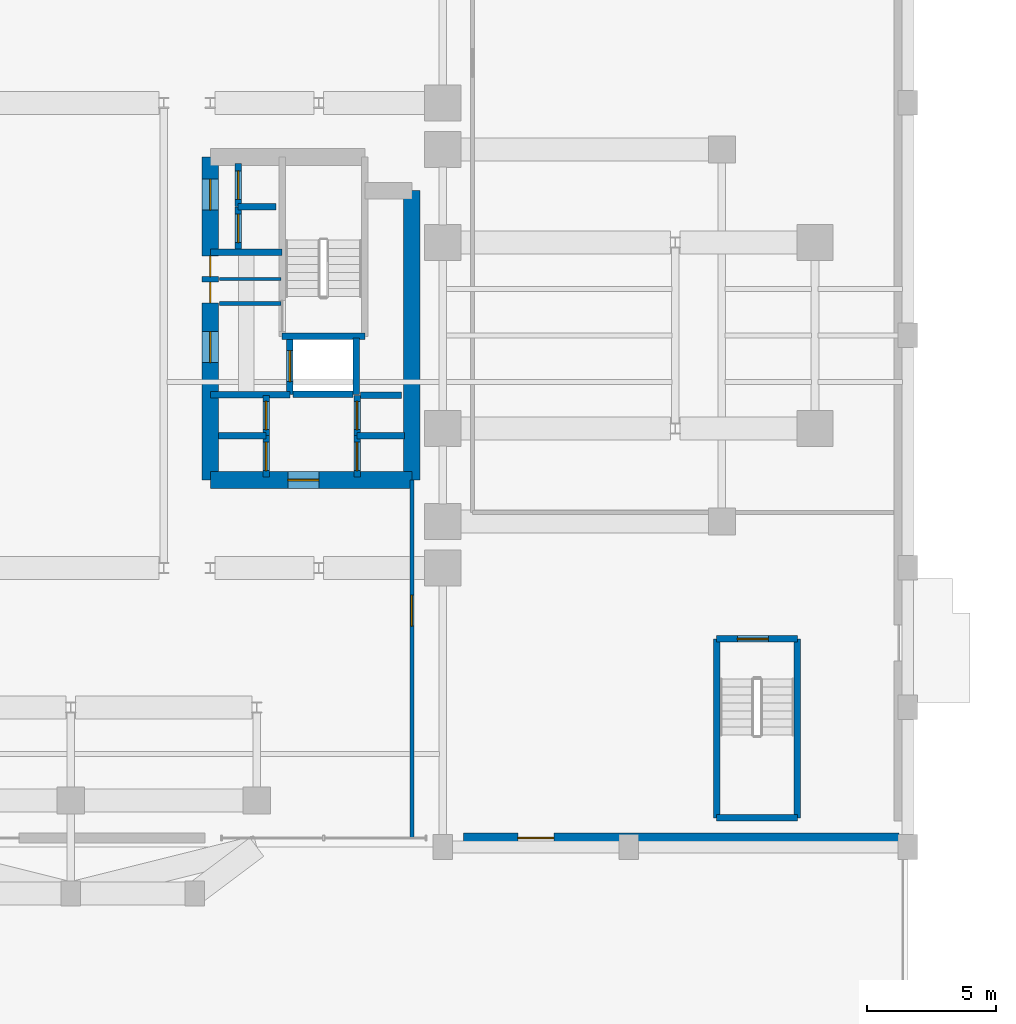
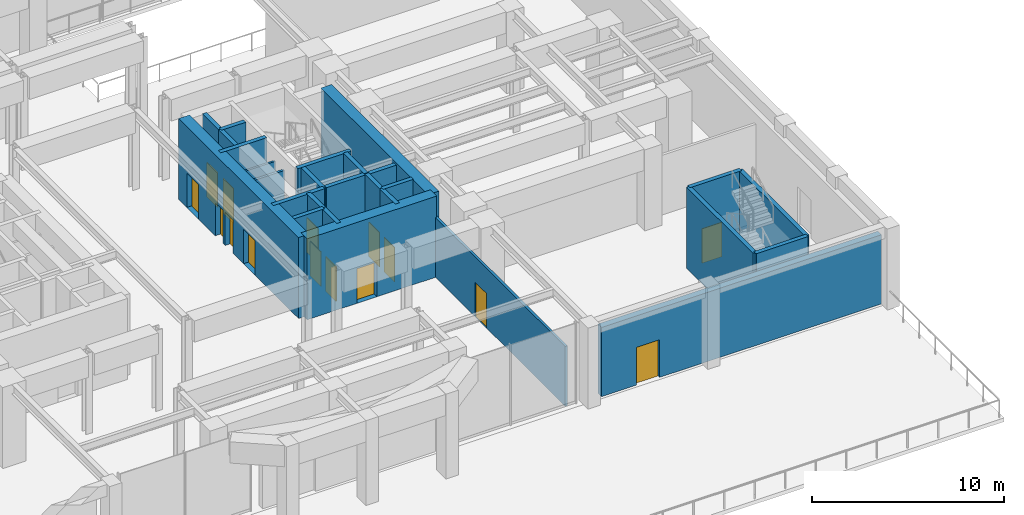
# One storey, part 11 of 17: 27 walls, 15 doors, 15 openings.
"""IFC4 building model written with IfcOpenShell, lengths in metres."""

import ifcopenshell
import ifcopenshell.guid

model = None  # the IFC model being written
_history = None  # IfcOwnerHistory: only IFC2X3 demands one
_inside = {}  # id of a spatial element -> (the spatial element, [elements in it])
_under = {}  # id of a project, library or spatial element -> (it, [spatial elements below it])
_declared = {}  # id of a project -> (the project, [libraries it declares])
_typed = {}  # id of a type object -> (the type object, [elements of that type])
_made_of = {}  # id of a material, layer set ... -> (it, [elements and type objects made of it])


def new_model(schema):
    """Start an empty IFC model of exactly this schema.

    Asked for "IFC4X3", IfcOpenShell would pick the latest addendum, in which some entities
    have other attributes; the version numbers below select the first issue.
    IFC2X3 requires an IfcOwnerHistory on every rooted entity: one is made here for all.
    """
    global model, _history
    if schema == "IFC4X3":
        model = ifcopenshell.file(schema_version=(4, 3, 0, 0))
    else:
        model = ifcopenshell.file(schema=schema)
    _inside.clear()
    _under.clear()
    _declared.clear()
    _typed.clear()
    _made_of.clear()
    _history = None
    if model.schema == "IFC2X3":
        org = make("IfcOrganization", Name="unknown")
        user = make(
            "IfcPersonAndOrganization",
            ThePerson=make("IfcPerson", FamilyName="unknown"),
            TheOrganization=org,
        )
        app = make(
            "IfcApplication",
            ApplicationDeveloper=org,
            Version="unknown",
            ApplicationFullName="unknown",
            ApplicationIdentifier="unknown",
        )
        _history = make(
            "IfcOwnerHistory",
            OwningUser=user,
            OwningApplication=app,
            ChangeAction="ADDED",
            CreationDate=0,
        )
    return model


def make(cls, **values):
    """One entity of the class cls with the attributes given. An attribute that is None is left unset."""
    return model.create_entity(
        cls, **{name: value for name, value in values.items() if value is not None}
    )


def rooted(cls, **values):
    """An entity with a GlobalId (a new one), such as an element, a storey or a relation."""
    return make(cls, GlobalId=ifcopenshell.guid.new(), OwnerHistory=_history, **values)


def si_unit(unit_type, name, prefix=None):
    """IfcSIUnit, for example si_unit("LENGTHUNIT", "METRE", prefix="MILLI")."""
    return make("IfcSIUnit", UnitType=unit_type, Prefix=prefix, Name=name)


def assignment(units):
    """IfcUnitAssignment: the units of a project."""
    return None if units is None else make("IfcUnitAssignment", Units=units)


def point(xyz):
    """IfcCartesianPoint."""
    return None if xyz is None else make("IfcCartesianPoint", Coordinates=xyz)


def direction(xyz):
    """IfcDirection."""
    return None if xyz is None else make("IfcDirection", DirectionRatios=xyz)


def frame(location, z_axis=None, x_axis=None):
    """IfcAxis2Placement3D, a coordinate frame: its origin and axes. An axis left out is left unset."""
    return make(
        "IfcAxis2Placement3D",
        Location=point(location),
        Axis=direction(z_axis),
        RefDirection=direction(x_axis),
    )


def frame_2d(location, x_axis=None):
    """IfcAxis2Placement2D, a coordinate frame in the plane: its origin and x axis."""
    return make(
        "IfcAxis2Placement2D", Location=point(location), RefDirection=direction(x_axis)
    )


def origin():
    """The frame at (0, 0, 0) with its axes left unset."""
    return frame((0.0, 0.0, 0.0))


def place(relative_to, where):
    """IfcLocalPlacement: puts the frame where relative to a parent placement (None: the world)."""
    return make(
        "IfcLocalPlacement", PlacementRelTo=relative_to, RelativePlacement=where
    )


def context(
    kind, dimensions, precision=None, world=None, true_north=None, identifier=None
):
    """IfcGeometricRepresentationContext, for example the 3D "Model" context."""
    return make(
        "IfcGeometricRepresentationContext",
        ContextIdentifier=identifier,
        ContextType=kind,
        CoordinateSpaceDimension=dimensions,
        Precision=precision,
        WorldCoordinateSystem=world,
        TrueNorth=true_north,
    )


def subcontext(parent, identifier, kind, view, scale=None):
    """IfcGeometricRepresentationSubContext, for example "Body" below "Model"."""
    return make(
        "IfcGeometricRepresentationSubContext",
        ContextIdentifier=identifier,
        ContextType=kind,
        ParentContext=parent,
        TargetScale=scale,
        TargetView=view,
    )


def project(units=None, contexts=None):
    """IfcProject with its units and contexts."""
    return rooted(
        "IfcProject",
        Name="project",
        RepresentationContexts=contexts,
        UnitsInContext=assignment(units),
    )


def spatial(cls, under=None, at=None, **own):
    """A site, building, storey or space (cls), placed at a placement, below another one or the project."""
    s = rooted(cls, ObjectPlacement=at, **own)
    if under is not None:
        _under.setdefault(under.id(), (under, []))[1].append(s)
    return s


def profile(cls, at=None, kind="AREA", **sizes):
    """A parametric profile (cls). Its sizes go by their IFC names, for example OverallWidth=200.0."""
    return make(cls, ProfileType=kind, Position=at, **sizes)


def rectangle(**sizes):
    """IfcRectangleProfileDef."""
    return profile("IfcRectangleProfileDef", **sizes)


def extrude(swept, where, along, depth):
    """IfcExtrudedAreaSolid: the profile swept, set in the frame where, extruded along a direction by depth."""
    return make(
        "IfcExtrudedAreaSolid",
        SweptArea=swept,
        Position=where,
        ExtrudedDirection=direction(along),
        Depth=depth,
    )


def shape(context_of_items, identifier, shape_type, items):
    """IfcShapeRepresentation: the items that make up one representation, for example the "Body"."""
    return make(
        "IfcShapeRepresentation",
        ContextOfItems=context_of_items,
        RepresentationIdentifier=identifier,
        RepresentationType=shape_type,
        Items=items,
    )


def source(mapping_origin, context_of_items, identifier, shape_type, items):
    """IfcRepresentationMap: a shape defined once, which mapped items show again and again."""
    return make(
        "IfcRepresentationMap",
        MappingOrigin=mapping_origin,
        MappedRepresentation=shape(context_of_items, identifier, shape_type, items),
    )


def transform(
    local_origin,
    x_axis=None,
    y_axis=None,
    z_axis=None,
    scale=None,
    scale2=None,
    scale3=None,
    uniform=True,
):
    """IfcCartesianTransformationOperator3D, or its non-uniform kind. x_axis, y_axis, z_axis: its Axis1, 2, 3."""
    if uniform:
        return make(
            "IfcCartesianTransformationOperator3D",
            Axis1=direction(x_axis),
            Axis2=direction(y_axis),
            LocalOrigin=point(local_origin),
            Scale=scale,
            Axis3=direction(z_axis),
        )
    return make(
        "IfcCartesianTransformationOperator3DnonUniform",
        Axis1=direction(x_axis),
        Axis2=direction(y_axis),
        LocalOrigin=point(local_origin),
        Scale=scale,
        Axis3=direction(z_axis),
        Scale2=scale2,
        Scale3=scale3,
    )


def mapped(mapping_source, mapping_target):
    """IfcMappedItem: shows the shape of a source again, moved by a transform."""
    return make(
        "IfcMappedItem", MappingSource=mapping_source, MappingTarget=mapping_target
    )


def material(Name=None, Category=None):
    """IfcMaterial."""
    return make("IfcMaterial", Name=Name, Category=Category)


def layer(
    of_material, thickness, ventilated=None, Name=None, Category=None, Priority=None
):
    """IfcMaterialLayer: one layer of a wall or slab, of a material (None: an air gap)."""
    return make(
        "IfcMaterialLayer",
        Material=of_material,
        LayerThickness=thickness,
        IsVentilated=ventilated,
        Name=Name,
        Category=Category,
        Priority=Priority,
    )


def layer_set(layers, Name=None):
    """IfcMaterialLayerSet."""
    return make("IfcMaterialLayerSet", MaterialLayers=layers, LayerSetName=Name)


def made_of(thing, what):
    """Note that an element or type object is made of a material, layer set ...; save() writes the relation."""
    if what is not None:
        _made_of.setdefault(what.id(), (what, []))[1].append(thing)
    return thing


def type_object(cls, material=None, **own):
    """A type object (cls), such as IfcWallType, which elements share."""
    return made_of(rooted(cls, **own), material)


def element(
    cls,
    number,
    at=None,
    inside=None,
    cuts=None,
    type_object=None,
    material=None,
    context=None,
    identifier="Body",
    shape_type=None,
    held_by="IfcProductDefinitionShape",
    body=None,
    shapes=None,
    **own,
):
    """One element of the class cls, such as IfcWall. Its Tag is "e" and its number.

    at: its placement. inside: the storey or other place that contains it. cuts: it is an
    opening in that element (IfcRelVoidsElement). A single representation is given by context,
    identifier, shape_type and body (its items); several are given by shapes. held_by: the class
    of the entity that holds the representations. save() writes the other relations.
    """
    e = rooted(cls, Tag="e%d" % number, ObjectPlacement=at, **own)
    if body is not None:
        shapes = [shape(context, identifier, shape_type, body)]
    if shapes is not None:
        e.Representation = make(held_by, Representations=shapes)
    if inside is not None:
        _inside.setdefault(inside.id(), (inside, []))[1].append(e)
    if cuts is not None:
        rooted(
            "IfcRelVoidsElement", RelatingBuildingElement=cuts, RelatedOpeningElement=e
        )
    if type_object is not None:
        _typed.setdefault(type_object.id(), (type_object, []))[1].append(e)
    return made_of(e, material)


def fill(opening, filler):
    """IfcRelFillsElement: the door or window that sits in an opening."""
    return rooted(
        "IfcRelFillsElement",
        RelatingOpeningElement=opening,
        RelatedBuildingElement=filler,
    )


def aggregate(whole, parts):
    """IfcRelAggregates: a whole, such as a stair, and the parts it consists of."""
    return rooted("IfcRelAggregates", RelatingObject=whole, RelatedObjects=parts)


def save(model, path):
    """Write the relations noted so far, then the file.

    IfcRelAggregates (storeys below a building ...), IfcRelContainedInSpatialStructure (elements
    in a storey), IfcRelDefinesByType, IfcRelAssociatesMaterial and IfcRelDeclares: one each for
    every whole, place, type object, material and project.
    """
    for whole, parts in _under.values():
        aggregate(whole, parts)
    for where, things in _inside.values():
        rooted(
            "IfcRelContainedInSpatialStructure",
            RelatedElements=things,
            RelatingStructure=where,
        )
    for kind, things in _typed.values():
        rooted("IfcRelDefinesByType", RelatedObjects=things, RelatingType=kind)
    for what, things in _made_of.values():
        rooted("IfcRelAssociatesMaterial", RelatedObjects=things, RelatingMaterial=what)
    for by, libraries in _declared.values():
        rooted("IfcRelDeclares", RelatingContext=by, RelatedDefinitions=libraries)
    model.write(path)


model = new_model("IFC4")

# Units and contexts
model_context = context("Model", 3, precision=1e-05, world=origin(), true_north=direction((0.0, 1.0)))
body_context = subcontext(model_context, "Body", "Model", "MODEL_VIEW")
ifc_project = project(units=[si_unit("LENGTHUNIT", "METRE"), si_unit("AREAUNIT", "SQUARE_METRE"), si_unit("VOLUMEUNIT", "CUBIC_METRE"), si_unit("PLANEANGLEUNIT", "RADIAN"), si_unit("MASSUNIT", "GRAM", prefix="KILO")], contexts=[model_context])

# Site, building, storey
site_placement = place(None, origin())
site = spatial("IfcSite", under=ifc_project, at=site_placement, CompositionType="ELEMENT")
building_placement = place(site_placement, origin())
building = spatial("IfcBuilding", under=site, at=building_placement, Name="Keilestroom Media Tower", CompositionType="ELEMENT")
storey_placement = place(building_placement, origin())
storey = spatial("IfcBuildingStorey", under=building, at=storey_placement, Name="L00", CompositionType="ELEMENT", Elevation=0.0)

# Wall, opening, door
ifc_material_1 = material(Name="Precast concrete C40/50", Category="concrete")
ifc_layer_1 = layer(ifc_material_1, 0.3798828125)
ifc_layer_set_1 = layer_set([ifc_layer_1], Name="Precast concrete C40/50")
wall_type_1 = type_object("IfcWallType", Name="Exterior-Masonry-Spandrel-Wall-380", PredefinedType="SOLIDWALL", material=ifc_layer_set_1)
wall_1_placement = place(storey_placement, frame((15.199951171875, -19.449951171875, 0.0), z_axis=(0.0, 0.0, 1.0), x_axis=(1.0, 0.0, 0.0)))
wall_1 = element("IfcWall", 1, at=wall_1_placement, inside=storey, type_object=wall_type_1, Name="L00 Podium Precast Masonry Wall EWL-L00-S-E", PredefinedType="SOLIDWALL", context=body_context, shape_type="SweptSolid", body=[
    extrude(rectangle(XDim=16.85009765625, YDim=0.3798828125, at=frame_2d((8.425048828125, 0.0))), origin(), (0.0, 0.0, 1.0), 4.39990234375),
])
opening_1_placement = place(wall_1_placement, frame((2.10009765625, 0.0, 0.0)))
opening_1 = element("IfcOpeningElement", 2, at=opening_1_placement, cuts=wall_1, Name="Opening DE-03", PredefinedType="OPENING", context=body_context, shape_type="SweptSolid", body=[
    extrude(rectangle(XDim=1.39990234375, YDim=2.39990234375, at=frame_2d((0.699951171875, 1.199951171875))), frame((0.0, 0.199951171875, 0.0), z_axis=(0.0, -1.0, 0.0), x_axis=(1.0, 0.0, 0.0)), (0.0, 0.0, 1.0), 0.39990234375),
])
ifc_material_2 = material(Name="Powder-Coated Steel Exit Leaf", Category="steel")
door_type_1 = type_object("IfcDoorType", Name="Exterior-Entrance-And-Terrace-Door-DE-03", OperationType="DOUBLE_DOOR_SINGLE_SWING", PredefinedType="DOOR", material=ifc_material_2)
shared_shape_1 = source(origin(), body_context, "Body", "SweptSolid", [
    extrude(rectangle(XDim=1.39990234375, YDim=2.39990234375, at=frame_2d((0.699951171875, 1.199951171875))), frame((0.0, 0.02490234375, 0.0), z_axis=(0.0, -1.0, 0.0), x_axis=(1.0, 0.0, 0.0)), (0.0, 0.0, 1.0), 0.050048828125),
])
door_1_placement = place(opening_1_placement, frame((1.39990234375, 0.0, 0.0), z_axis=(0.0, 0.0, 1.0), x_axis=(-1.0, 0.0, 0.0)))
door_1 = element("IfcDoor", 3, at=door_1_placement, inside=storey, type_object=door_type_1, Name="Stair ST-4 Final Exit Door DE-03", OperationType="DOUBLE_DOOR_SINGLE_SWING", OverallHeight=2.39990234375, OverallWidth=1.39990234375, PredefinedType="DOOR", context=body_context, shape_type="MappedRepresentation", body=[
    mapped(shared_shape_1, transform((0.0, 0.0, 0.0), x_axis=(1.0, 0.0, 0.0), y_axis=(0.0, 1.0, 0.0), z_axis=(0.0, 0.0, 1.0), scale=1.0)),
])
fill(opening_1, door_1)

# Walls
ifc_material_3 = material(Name="Gypsum Plasterboard & Steel Stud", Category="steel")
ifc_layer_2 = layer(ifc_material_3, 0.1201171875)
ifc_layer_set_2 = layer_set([ifc_layer_2], Name="Gypsum Plasterboard & Steel Stud")
wall_type_2 = type_object("IfcWallType", Name="Interior-Partition-Wall-120", PredefinedType="PARTITIONING", material=ifc_layer_set_2)
wall_2_placement = place(storey_placement, frame((5.75, 2.179931640625, 0.0), z_axis=(0.0, 0.0, 1.0), x_axis=(1.0, 0.0, 0.0)))
element("IfcWall", 4, at=wall_2_placement, inside=storey, type_object=wall_type_2, Name="L00 Interior Wall WP-L00-CNE-N", PredefinedType="PARTITIONING", context=body_context, shape_type="SweptSolid", body=[
    extrude(rectangle(XDim=2.389892578125, YDim=0.1201171875, at=frame_2d((1.19482421875, 0.0))), origin(), (0.0, 0.0, 1.0), 4.25),
])
ifc_layer_3 = layer(ifc_material_3, 0.14990234375)
ifc_layer_set_3 = layer_set([ifc_layer_3], Name="Gypsum Plasterboard & Steel Stud")
wall_type_3 = type_object("IfcWallType", Name="Interior-Partition-Wall-150", PredefinedType="PARTITIONING", material=ifc_layer_set_3)
wall_3_placement = place(storey_placement, frame((5.75, 1.239990234375, 0.0), z_axis=(0.0, 0.0, 1.0), x_axis=(1.0, 0.0, 0.0)))
element("IfcWall", 5, at=wall_3_placement, inside=storey, type_object=wall_type_3, Name="L00 Interior Wall WP-L00-FFE-TOP", PredefinedType="PARTITIONING", context=body_context, shape_type="SweptSolid", body=[
    extrude(rectangle(XDim=2.389892578125, YDim=0.14990234375, at=frame_2d((1.19482421875, 0.0))), origin(), (0.0, 0.0, 1.0), 4.25),
])

# Wall, opening, door
wall_4_placement = place(storey_placement, frame((13.199951171875, -19.449951171875, 0.0), z_axis=(0.0, 0.0, 1.0), x_axis=(0.0, 1.0, 0.0)))
wall_4 = element("IfcWall", 6, at=wall_4_placement, inside=storey, type_object=wall_type_3, Name="L00 Interior Wall WP-L00-L00-EXPASS-E-W", PredefinedType="PARTITIONING", context=body_context, shape_type="SweptSolid", body=[
    extrude(rectangle(XDim=13.849853515625, YDim=0.14990234375, at=frame_2d((6.9248046875, 0.0))), origin(), (0.0, 0.0, 1.0), 3.800048828125),
])
opening_2_placement = place(wall_4_placement, frame((8.199951171875, 0.0, 0.0)))
opening_2 = element("IfcOpeningElement", 7, at=opening_2_placement, cuts=wall_4, Name="Opening DI-02", PredefinedType="OPENING", context=body_context, shape_type="SweptSolid", body=[
    extrude(rectangle(XDim=1.199951171875, YDim=2.199951171875, at=frame_2d((0.60009765625, 1.10009765625))), frame((0.0, 0.0849609375, 0.0), z_axis=(0.0, -1.0, 0.0), x_axis=(1.0, 0.0, 0.0)), (0.0, 0.0, 1.0), 0.169921875),
])
ifc_material_4 = material(Name="Powder-Coated Steel Fire Leaf", Category="steel")
door_type_2 = type_object("IfcDoorType", Name="Interior-Compartment-Fire-Door-DI-02", OperationType="NOTDEFINED", PredefinedType="DOOR", material=ifc_material_4)
shared_shape_2 = source(origin(), body_context, "Body", "SweptSolid", [
    extrude(rectangle(XDim=1.199951171875, YDim=2.199951171875, at=frame_2d((0.60009765625, 1.10009765625))), frame((0.0, 0.02490234375, 0.0), z_axis=(0.0, -1.0, 0.0), x_axis=(1.0, 0.0, 0.0)), (0.0, 0.0, 1.0), 0.050048828125),
])
door_2_placement = place(opening_2_placement, origin())
door_2 = element("IfcDoor", 8, at=door_2_placement, inside=storey, type_object=door_type_2, Name="L00 Interior Door DI-L00-L00-EXPASS-ED", OperationType="SINGLE_SWING_RIGHT", OverallHeight=2.199951171875, OverallWidth=1.199951171875, PredefinedType="DOOR", context=body_context, shape_type="MappedRepresentation", body=[
    mapped(shared_shape_2, transform((0.0, 0.0, 0.0), x_axis=(1.0, 0.0, 0.0), y_axis=(0.0, 1.0, 0.0), z_axis=(0.0, 0.0, 1.0), scale=1.0)),
])
fill(opening_2, door_2)

# Wall
ifc_material_5 = material(Name="Concrete C70/85", Category="concrete")
ifc_layer_4 = layer(ifc_material_5, 0.64990234375)
ifc_layer_set_4 = layer_set([ifc_layer_4], Name="Concrete C70/85")
wall_type_4 = type_object("IfcWallType", Name="Reinforced-Concrete-Core-Shear-Wall-650", PredefinedType="SHEAR", material=ifc_layer_set_4)
wall_5_placement = place(storey_placement, frame((13.199951171875, -5.60009765625, 0.0), z_axis=(0.0, 0.0, 1.0), x_axis=(0.0, 1.0, 0.0)))
element("IfcWall", 9, at=wall_5_placement, inside=storey, type_object=wall_type_4, Name="L00 Core Shear Wall WL-L00-CORE-E-OUT", PredefinedType="SHEAR", context=body_context, shape_type="SweptSolid", body=[
    extrude(rectangle(XDim=11.2001953125, YDim=0.64990234375, at=frame_2d((5.60009765625, 0.0))), origin(), (0.0, 0.0, 1.0), 5.14990234375),
])

# Wall, openings, doors
wall_6_placement = place(storey_placement, frame((5.39990234375, -5.60009765625, 0.0), z_axis=(0.0, 0.0, 1.0), x_axis=(0.0, 1.0, 0.0)))
wall_6 = element("IfcWall", 10, at=wall_6_placement, inside=storey, type_object=wall_type_4, Name="L00 Core Shear Wall WL-L00-CORE-E-IN", PredefinedType="SHEAR", context=body_context, shape_type="SweptSolid", body=[
    extrude(rectangle(XDim=12.5, YDim=0.64990234375, at=frame_2d((6.25, 0.0))), origin(), (0.0, 0.0, 1.0), 5.14990234375),
])
opening_3_placement = place(wall_6_placement, frame((4.550048828125, 0.0, 0.0)))
opening_3 = element("IfcOpeningElement", 11, at=opening_3_placement, cuts=wall_6, Name="Opening DI-02", PredefinedType="OPENING", context=body_context, shape_type="SweptSolid", body=[
    extrude(rectangle(XDim=1.199951171875, YDim=2.199951171875, at=frame_2d((0.60009765625, 1.10009765625))), frame((0.0, 0.3349609375, 0.0), z_axis=(0.0, -1.0, 0.0), x_axis=(1.0, 0.0, 0.0)), (0.0, 0.0, 1.0), 0.669921875),
])
opening_4_placement = place(wall_6_placement, frame((10.449951171875, 0.0, 0.0)))
opening_4 = element("IfcOpeningElement", 12, at=opening_4_placement, cuts=wall_6, Name="Opening DI-02", PredefinedType="OPENING", context=body_context, shape_type="SweptSolid", body=[
    extrude(rectangle(XDim=1.199951171875, YDim=2.199951171875, at=frame_2d((0.60009765625, 1.10009765625))), frame((0.0, 0.3349609375, 0.0), z_axis=(0.0, -1.0, 0.0), x_axis=(1.0, 0.0, 0.0)), (0.0, 0.0, 1.0), 0.669921875),
])
opening_5_placement = place(wall_6_placement, frame((6.860107421875, 0.0, 0.0)))
opening_5 = element("IfcOpeningElement", 13, at=opening_5_placement, cuts=wall_6, Name="Opening DI-06", PredefinedType="OPENING", context=body_context, shape_type="SweptSolid", body=[
    extrude(rectangle(XDim=0.800048828125, YDim=2.10009765625, at=frame_2d((0.39990234375, 1.050048828125))), frame((0.0, 0.3349609375, 0.0), z_axis=(0.0, -1.0, 0.0), x_axis=(1.0, 0.0, 0.0)), (0.0, 0.0, 1.0), 0.669921875),
])
opening_6_placement = place(wall_6_placement, frame((7.8798828125, 0.0, 0.0)))
opening_6 = element("IfcOpeningElement", 14, at=opening_6_placement, cuts=wall_6, Name="Opening DI-06", PredefinedType="OPENING", context=body_context, shape_type="SweptSolid", body=[
    extrude(rectangle(XDim=0.800048828125, YDim=2.10009765625, at=frame_2d((0.39990234375, 1.050048828125))), frame((0.0, 0.3349609375, 0.0), z_axis=(0.0, -1.0, 0.0), x_axis=(1.0, 0.0, 0.0)), (0.0, 0.0, 1.0), 0.669921875),
])
door_3_placement = place(opening_3_placement, origin())
door_3 = element("IfcDoor", 15, at=door_3_placement, inside=storey, type_object=door_type_2, Name="L00 E Firefighting Lobby Door", OperationType="SINGLE_SWING_LEFT", OverallHeight=2.199951171875, OverallWidth=1.199951171875, PredefinedType="DOOR", context=body_context, shape_type="MappedRepresentation", body=[
    mapped(shared_shape_2, transform((0.0, 0.0, 0.0), x_axis=(1.0, 0.0, 0.0), y_axis=(0.0, 1.0, 0.0), z_axis=(0.0, 0.0, 1.0), scale=1.0)),
])
fill(opening_3, door_3)
door_4_placement = place(opening_4_placement, origin())
door_4 = element("IfcDoor", 16, at=door_4_placement, inside=storey, type_object=door_type_2, Name="L00 E High-Rise Lift Lobby Door", OperationType="SINGLE_SWING_RIGHT", OverallHeight=2.199951171875, OverallWidth=1.199951171875, PredefinedType="DOOR", context=body_context, shape_type="MappedRepresentation", body=[
    mapped(shared_shape_2, transform((0.0, 0.0, 0.0), x_axis=(1.0, 0.0, 0.0), y_axis=(0.0, 1.0, 0.0), z_axis=(0.0, 0.0, 1.0), scale=1.0)),
])
fill(opening_4, door_4)
ifc_material_6 = material(Name="Powder-Coated Steel Service Leaf", Category="steel")
door_type_3 = type_object("IfcDoorType", Name="Interior-Riser-Access-Door-DI-06", OperationType="NOTDEFINED", PredefinedType="DOOR", material=ifc_material_6)
shared_shape_3 = source(origin(), body_context, "Body", "SweptSolid", [
    extrude(rectangle(XDim=0.800048828125, YDim=2.10009765625, at=frame_2d((0.39990234375, 1.050048828125))), frame((0.0, 0.02490234375, 0.0), z_axis=(0.0, -1.0, 0.0), x_axis=(1.0, 0.0, 0.0)), (0.0, 0.0, 1.0), 0.050048828125),
])
door_5_placement = place(opening_5_placement, origin())
door_5 = element("IfcDoor", 17, at=door_5_placement, inside=storey, type_object=door_type_3, Name="L00 East Core Telecom Door", OperationType="SINGLE_SWING_RIGHT", OverallHeight=2.10009765625, OverallWidth=0.800048828125, PredefinedType="DOOR", context=body_context, shape_type="MappedRepresentation", body=[
    mapped(shared_shape_3, transform((0.0, 0.0, 0.0), x_axis=(1.0, 0.0, 0.0), y_axis=(0.0, 1.0, 0.0), z_axis=(0.0, 0.0, 1.0), scale=1.0)),
])
fill(opening_5, door_5)
door_6_placement = place(opening_6_placement, origin())
door_6 = element("IfcDoor", 18, at=door_6_placement, inside=storey, type_object=door_type_3, Name="L00 East Core Closet Door", OperationType="SINGLE_SWING_RIGHT", OverallHeight=2.10009765625, OverallWidth=0.800048828125, PredefinedType="DOOR", context=body_context, shape_type="MappedRepresentation", body=[
    mapped(shared_shape_3, transform((0.0, 0.0, 0.0), x_axis=(1.0, 0.0, 0.0), y_axis=(0.0, 1.0, 0.0), z_axis=(0.0, 0.0, 1.0), scale=1.0)),
])
fill(opening_6, door_6)

# Wall, opening, door
wall_7_placement = place(storey_placement, frame((5.39990234375, -5.60009765625, 0.0), z_axis=(0.0, 0.0, 1.0), x_axis=(1.0, 0.0, 0.0)))
wall_7 = element("IfcWall", 19, at=wall_7_placement, inside=storey, type_object=wall_type_4, Name="L00 Core Shear Wall WL-L00-CORE-E-S", PredefinedType="SHEAR", context=body_context, shape_type="SweptSolid", body=[
    extrude(rectangle(XDim=7.800048828125, YDim=0.64990234375, at=frame_2d((3.89990234375, 0.0))), origin(), (0.0, 0.0, 1.0), 5.14990234375),
])
opening_7_placement = place(wall_7_placement, frame((3.0, 0.0, 0.0)))
opening_7 = element("IfcOpeningElement", 20, at=opening_7_placement, cuts=wall_7, Name="Opening DI-02", PredefinedType="OPENING", context=body_context, shape_type="SweptSolid", body=[
    extrude(rectangle(XDim=1.199951171875, YDim=2.199951171875, at=frame_2d((0.60009765625, 1.10009765625))), frame((0.0, 0.3349609375, 0.0), z_axis=(0.0, -1.0, 0.0), x_axis=(1.0, 0.0, 0.0)), (0.0, 0.0, 1.0), 0.669921875),
])
door_7_placement = place(opening_7_placement, origin())
door_7 = element("IfcDoor", 21, at=door_7_placement, inside=storey, type_object=door_type_2, Name="L00 E Passenger Lift Lobby Door", OperationType="SINGLE_SWING_RIGHT", OverallHeight=2.199951171875, OverallWidth=1.199951171875, PredefinedType="DOOR", context=body_context, shape_type="MappedRepresentation", body=[
    mapped(shared_shape_2, transform((0.0, 0.0, 0.0), x_axis=(1.0, 0.0, 0.0), y_axis=(0.0, 1.0, 0.0), z_axis=(0.0, 0.0, 1.0), scale=1.0)),
])
fill(opening_7, door_7)

# Walls
ifc_material_7 = material(Name="Concrete C50/60", Category="concrete")
ifc_layer_5 = layer(ifc_material_7, 0.25)
ifc_layer_set_5 = layer_set([ifc_layer_5], Name="Concrete C50/60")
wall_type_5 = type_object("IfcWallType", Name="Reinforced-Concrete-Shaft-Wall-250", PredefinedType="SOLIDWALL", material=ifc_layer_set_5)
wall_8_placement = place(storey_placement, frame((5.39990234375, 3.219970703125, 0.0), z_axis=(0.0, 0.0, 1.0), x_axis=(1.0, 0.0, 0.0)))
element("IfcWall", 22, at=wall_8_placement, inside=storey, type_object=wall_type_5, Name="L00 Core Shear Wall WL-L00-CORE-E-FFN", PredefinedType="SOLIDWALL", context=body_context, shape_type="SweptSolid", body=[
    extrude(rectangle(XDim=2.780029296875, YDim=0.25, at=frame_2d((1.39013671875, 0.0))), origin(), (0.0, 0.0, 1.0), 5.14990234375),
])
wall_9_placement = place(storey_placement, frame((5.39990234375, -2.300048828125, 0.0), z_axis=(0.0, 0.0, 1.0), x_axis=(1.0, 0.0, 0.0)))
element("IfcWall", 23, at=wall_9_placement, inside=storey, type_object=wall_type_5, Name="L00 Core Shear Wall WL-L00-CORE-E-FFS", PredefinedType="SOLIDWALL", context=body_context, shape_type="SweptSolid", body=[
    extrude(rectangle(XDim=3.080078125, YDim=0.25, at=frame_2d((1.5400390625, 0.0))), origin(), (0.0, 0.0, 1.0), 5.14990234375),
])
wall_10_placement = place(storey_placement, frame((8.178955078125, -0.041015625, 0.0), z_axis=(0.0, 0.0, 1.0), x_axis=(1.0, 0.0, 0.0)))
element("IfcWall", 24, at=wall_10_placement, inside=storey, type_object=wall_type_5, Name="L00 Core Shear Wall WL-L00-STW-E-S", PredefinedType="SOLIDWALL", context=body_context, shape_type="SweptSolid", body=[
    extrude(rectangle(XDim=3.2021484375, YDim=0.25, at=frame_2d((1.60107421875, 0.0))), origin(), (0.0, 0.0, 1.0), 5.14990234375),
])
for number, where, z_axis, x_axis, name in (
    (25, (24.9990234375, -18.6708984375, 0.0), (0.0, 0.0, 1.0), (0.0, 1.0, 0.0), "L00 Core Shear Wall WL-L00-ST-4-W"),
    (26, (28.12109375, -18.6708984375, 0.0), (0.0, 0.0, 1.0), (0.0, 1.0, 0.0), "L00 Core Shear Wall WL-L00-ST-4-E"),
):
    element("IfcWall", number, at=place(storey_placement, frame(where, z_axis=z_axis, x_axis=x_axis)), inside=storey, type_object=wall_type_5, Name=name, PredefinedType="SOLIDWALL", context=body_context, shape_type="SweptSolid", body=[
        extrude(rectangle(XDim=6.921875, YDim=0.25, at=frame_2d((3.4609375, 0.0))), origin(), (0.0, 0.0, 1.0), 5.14990234375),
    ])
wall_11_placement = place(storey_placement, frame((24.9990234375, -18.6708984375, 0.0), z_axis=(0.0, 0.0, 1.0), x_axis=(1.0, 0.0, 0.0)))
element("IfcWall", 27, at=wall_11_placement, inside=storey, type_object=wall_type_5, Name="L00 Core Shear Wall WL-L00-ST-4-S", PredefinedType="SOLIDWALL", context=body_context, shape_type="SweptSolid", body=[
    extrude(rectangle(XDim=3.1220703125, YDim=0.25, at=frame_2d((1.56103515625, 0.0))), origin(), (0.0, 0.0, 1.0), 5.14990234375),
])

# Wall, opening, door
wall_12_placement = place(storey_placement, frame((24.9990234375, -11.7490234375, 0.0), z_axis=(0.0, 0.0, 1.0), x_axis=(1.0, 0.0, 0.0)))
wall_12 = element("IfcWall", 28, at=wall_12_placement, inside=storey, type_object=wall_type_5, Name="L00 Core Shear Wall WL-L00-ST-4-N", PredefinedType="SOLIDWALL", context=body_context, shape_type="SweptSolid", body=[
    extrude(rectangle(XDim=3.1220703125, YDim=0.25, at=frame_2d((1.56103515625, 0.0))), origin(), (0.0, 0.0, 1.0), 5.14990234375),
])
opening_8_placement = place(wall_12_placement, frame((0.800048828125, 0.0, 0.0)))
opening_8 = element("IfcOpeningElement", 29, at=opening_8_placement, cuts=wall_12, Name="Opening DI-01S", PredefinedType="OPENING", context=body_context, shape_type="SweptSolid", body=[
    extrude(rectangle(XDim=1.199951171875, YDim=2.199951171875, at=frame_2d((0.60009765625, 1.10009765625))), frame((0.0, 0.135009765625, 0.0), z_axis=(0.0, -1.0, 0.0), x_axis=(1.0, 0.0, 0.0)), (0.0, 0.0, 1.0), 0.27001953125),
])
door_type_4 = type_object("IfcDoorType", Name="Interior-Stair-And-Core-Fire-Door-DI-01", OperationType="NOTDEFINED", PredefinedType="DOOR", material=ifc_material_4)
door_8_placement = place(opening_8_placement, origin())
door_8 = element("IfcDoor", 30, at=door_8_placement, inside=storey, type_object=door_type_4, Name="L00 Podium Stair ST-4 Fire Door", OperationType="SINGLE_SWING_LEFT", OverallHeight=2.199951171875, OverallWidth=1.199951171875, PredefinedType="DOOR", context=body_context, shape_type="MappedRepresentation", body=[
    mapped(shared_shape_2, transform((0.0, 0.0, 0.0), x_axis=(1.0, 0.0, 0.0), y_axis=(0.0, 1.0, 0.0), z_axis=(0.0, 0.0, 1.0), scale=1.0)),
])
fill(opening_8, door_8)

wall_13_placement = place(storey_placement, frame((8.47998046875, -2.280029296875, 0.0), z_axis=(0.0, 0.0, 1.0), x_axis=(0.0, 1.0, 0.0)))
wall_13 = element("IfcWall", 31, at=wall_13_placement, inside=storey, type_object=wall_type_5, Name="L00 Core Shear Wall WL-L00-LSH-FFL-2-W", PredefinedType="SOLIDWALL", context=body_context, shape_type="SweptSolid", body=[
    extrude(rectangle(XDim=2.179931640625, YDim=0.25, at=frame_2d((1.08984375, 0.0))), origin(), (0.0, 0.0, 1.0), 5.14990234375),
])
opening_9_placement = place(wall_13_placement, frame((0.489990234375, 0.0, 0.0)))
opening_9 = element("IfcOpeningElement", 32, at=opening_9_placement, cuts=wall_13, Name="Opening LD-02", PredefinedType="OPENING", context=body_context, shape_type="SweptSolid", body=[
    extrude(rectangle(XDim=1.199951171875, YDim=2.199951171875, at=frame_2d((0.60009765625, 1.10009765625))), frame((0.0, 0.135009765625, 0.0), z_axis=(0.0, -1.0, 0.0), x_axis=(1.0, 0.0, 0.0)), (0.0, 0.0, 1.0), 0.27001953125),
])
ifc_material_8 = material(Name="Brushed Stainless Steel Sliding Leaf", Category="steel")
door_type_5 = type_object("IfcDoorType", Name="Lift-Landing-Sliding-Door-LD-02", OperationType="SLIDING_TO_RIGHT", PredefinedType="DOOR", material=ifc_material_8)
door_9_placement = place(opening_9_placement, origin())
door_9 = element("IfcDoor", 33, at=door_9_placement, inside=storey, type_object=door_type_5, Name="L00 Lift FFL-2 Landing Sliding Door", OperationType="SLIDING_TO_RIGHT", OverallHeight=2.199951171875, OverallWidth=1.199951171875, PredefinedType="DOOR", context=body_context, shape_type="MappedRepresentation", body=[
    mapped(shared_shape_2, transform((0.0, 0.0, 0.0), x_axis=(1.0, 0.0, 0.0), y_axis=(0.0, 1.0, 0.0), z_axis=(0.0, 0.0, 1.0), scale=1.0)),
])
fill(opening_9, door_9)

# Walls
wall_14_placement = place(storey_placement, frame((11.050048828125, -2.280029296875, 0.0), z_axis=(0.0, 0.0, 1.0), x_axis=(0.0, 1.0, 0.0)))
element("IfcWall", 34, at=wall_14_placement, inside=storey, type_object=wall_type_5, Name="L00 Core Shear Wall WL-L00-LSH-FFL-2-E", PredefinedType="SOLIDWALL", context=body_context, shape_type="SweptSolid", body=[
    extrude(rectangle(XDim=2.179931640625, YDim=0.25, at=frame_2d((1.08984375, 0.0))), origin(), (0.0, 0.0, 1.0), 5.14990234375),
])
wall_15_placement = place(storey_placement, frame((8.60888671875, -2.280029296875, 0.0), z_axis=(0.0, 0.0, 1.0), x_axis=(1.0, 0.0, 0.0)))
element("IfcWall", 35, at=wall_15_placement, inside=storey, type_object=wall_type_5, Name="L00 Core Shear Wall WL-L00-LSH-FFL-2-S", PredefinedType="SOLIDWALL", context=body_context, shape_type="SweptSolid", body=[
    extrude(rectangle(XDim=2.31201171875, YDim=0.25, at=frame_2d((1.156005859375, 0.0))), origin(), (0.0, 0.0, 1.0), 5.14990234375),
])

# Wall, opening, door
wall_16_placement = place(storey_placement, frame((11.080078125, -5.47998046875, 0.0), z_axis=(0.0, 0.0, 1.0), x_axis=(0.0, 1.0, 0.0)))
wall_16 = element("IfcWall", 36, at=wall_16_placement, inside=storey, type_object=wall_type_5, Name="L00 Core Shear Wall WL-L00-LSH-PL-L3-W", PredefinedType="SOLIDWALL", context=body_context, shape_type="SweptSolid", body=[
    extrude(rectangle(XDim=1.60009765625, YDim=0.25, at=frame_2d((0.800048828125, 0.0))), origin(), (0.0, 0.0, 1.0), 5.14990234375),
])
opening_10_placement = place(wall_16_placement, frame((0.25, 0.0, 0.0)))
opening_10 = element("IfcOpeningElement", 37, at=opening_10_placement, cuts=wall_16, Name="Opening LD-01", PredefinedType="OPENING", context=body_context, shape_type="SweptSolid", body=[
    extrude(rectangle(XDim=1.10009765625, YDim=2.199951171875, at=frame_2d((0.550048828125, 1.10009765625))), frame((0.0, 0.135009765625, 0.0), z_axis=(0.0, -1.0, 0.0), x_axis=(1.0, 0.0, 0.0)), (0.0, 0.0, 1.0), 0.27001953125),
])
door_type_6 = type_object("IfcDoorType", Name="Lift-Landing-Sliding-Door-LD-01", OperationType="SLIDING_TO_LEFT", PredefinedType="DOOR", material=ifc_material_8)
shared_shape_4 = source(origin(), body_context, "Body", "SweptSolid", [
    extrude(rectangle(XDim=1.10009765625, YDim=2.199951171875, at=frame_2d((0.550048828125, 1.10009765625))), frame((0.0, 0.02490234375, 0.0), z_axis=(0.0, -1.0, 0.0), x_axis=(1.0, 0.0, 0.0)), (0.0, 0.0, 1.0), 0.050048828125),
])
door_10_placement = place(opening_10_placement, origin())
door_10 = element("IfcDoor", 38, at=door_10_placement, inside=storey, type_object=door_type_6, Name="L00 Lift PL-L3 Landing Sliding Door", OperationType="SLIDING_TO_LEFT", OverallHeight=2.199951171875, OverallWidth=1.10009765625, PredefinedType="DOOR", context=body_context, shape_type="MappedRepresentation", body=[
    mapped(shared_shape_4, transform((0.0, 0.0, 0.0), x_axis=(1.0, 0.0, 0.0), y_axis=(0.0, 1.0, 0.0), z_axis=(0.0, 0.0, 1.0), scale=1.0)),
])
fill(opening_10, door_10)

# Wall
wall_17_placement = place(storey_placement, frame((11.080078125, -3.8798828125, 0.0), z_axis=(0.0, 0.0, 1.0), x_axis=(1.0, 0.0, 0.0)))
element("IfcWall", 39, at=wall_17_placement, inside=storey, type_object=wall_type_5, Name="L00 Core Shear Wall WL-L00-LSH-PL-L3-N", PredefinedType="SOLIDWALL", context=body_context, shape_type="SweptSolid", body=[
    extrude(rectangle(XDim=1.83984375, YDim=0.25, at=frame_2d((0.919921875, 0.0))), origin(), (0.0, 0.0, 1.0), 5.14990234375),
])

# Wall, opening, door
wall_18_placement = place(storey_placement, frame((11.080078125, -3.8798828125, 0.0), z_axis=(0.0, 0.0, 1.0), x_axis=(0.0, 1.0, 0.0)))
wall_18 = element("IfcWall", 40, at=wall_18_placement, inside=storey, type_object=wall_type_5, Name="L00 Core Shear Wall WL-L00-LSH-PL-L4-W", PredefinedType="SOLIDWALL", context=body_context, shape_type="SweptSolid", body=[
    extrude(rectangle(XDim=1.559814453125, YDim=0.25, at=frame_2d((0.77978515625, 0.0))), origin(), (0.0, 0.0, 1.0), 5.14990234375),
])
opening_11_placement = place(wall_18_placement, frame((0.22998046875, 0.0, 0.0)))
opening_11 = element("IfcOpeningElement", 41, at=opening_11_placement, cuts=wall_18, Name="Opening LD-01", PredefinedType="OPENING", context=body_context, shape_type="SweptSolid", body=[
    extrude(rectangle(XDim=1.10009765625, YDim=2.199951171875, at=frame_2d((0.550048828125, 1.10009765625))), frame((0.0, 0.135009765625, 0.0), z_axis=(0.0, -1.0, 0.0), x_axis=(1.0, 0.0, 0.0)), (0.0, 0.0, 1.0), 0.27001953125),
])
door_11_placement = place(opening_11_placement, origin())
door_11 = element("IfcDoor", 42, at=door_11_placement, inside=storey, type_object=door_type_6, Name="L00 Lift PL-L4 Landing Sliding Door", OperationType="SLIDING_TO_LEFT", OverallHeight=2.199951171875, OverallWidth=1.10009765625, PredefinedType="DOOR", context=body_context, shape_type="MappedRepresentation", body=[
    mapped(shared_shape_4, transform((0.0, 0.0, 0.0), x_axis=(1.0, 0.0, 0.0), y_axis=(0.0, 1.0, 0.0), z_axis=(0.0, 0.0, 1.0), scale=1.0)),
])
fill(opening_11, door_11)

# Wall
wall_19_placement = place(storey_placement, frame((11.208984375, -2.320068359375, 0.0), z_axis=(0.0, 0.0, 1.0), x_axis=(1.0, 0.0, 0.0)))
element("IfcWall", 43, at=wall_19_placement, inside=storey, type_object=wall_type_5, Name="L00 Core Shear Wall WL-L00-LSH-PL-L4-N", PredefinedType="SOLIDWALL", context=body_context, shape_type="SweptSolid", body=[
    extrude(rectangle(XDim=1.58203125, YDim=0.25, at=frame_2d((0.791015625, 0.0))), origin(), (0.0, 0.0, 1.0), 5.14990234375),
])

# Wall, opening, door
wall_20_placement = place(storey_placement, frame((7.56005859375, -5.47998046875, 0.0), z_axis=(0.0, 0.0, 1.0), x_axis=(0.0, 1.0, 0.0)))
wall_20 = element("IfcWall", 44, at=wall_20_placement, inside=storey, type_object=wall_type_5, Name="L00 Core Shear Wall WL-L00-LSH-PL-M3-E", PredefinedType="SOLIDWALL", context=body_context, shape_type="SweptSolid", body=[
    extrude(rectangle(XDim=1.60009765625, YDim=0.25, at=frame_2d((0.800048828125, 0.0))), origin(), (0.0, 0.0, 1.0), 5.14990234375),
])
opening_12_placement = place(wall_20_placement, frame((0.25, 0.0, 0.0)))
opening_12 = element("IfcOpeningElement", 45, at=opening_12_placement, cuts=wall_20, Name="Opening LD-01", PredefinedType="OPENING", context=body_context, shape_type="SweptSolid", body=[
    extrude(rectangle(XDim=1.10009765625, YDim=2.199951171875, at=frame_2d((0.550048828125, 1.10009765625))), frame((0.0, 0.135009765625, 0.0), z_axis=(0.0, -1.0, 0.0), x_axis=(1.0, 0.0, 0.0)), (0.0, 0.0, 1.0), 0.27001953125),
])
door_12_placement = place(opening_12_placement, origin())
door_12 = element("IfcDoor", 46, at=door_12_placement, inside=storey, type_object=door_type_6, Name="L00 Lift PL-M3 Landing Sliding Door", OperationType="SLIDING_TO_LEFT", OverallHeight=2.199951171875, OverallWidth=1.10009765625, PredefinedType="DOOR", context=body_context, shape_type="MappedRepresentation", body=[
    mapped(shared_shape_4, transform((0.0, 0.0, 0.0), x_axis=(1.0, 0.0, 0.0), y_axis=(0.0, 1.0, 0.0), z_axis=(0.0, 0.0, 1.0), scale=1.0)),
])
fill(opening_12, door_12)

# Wall
wall_21_placement = place(storey_placement, frame((5.719970703125, -3.8798828125, 0.0), z_axis=(0.0, 0.0, 1.0), x_axis=(1.0, 0.0, 0.0)))
element("IfcWall", 47, at=wall_21_placement, inside=storey, type_object=wall_type_5, Name="L00 Core Shear Wall WL-L00-LSH-PL-M3-N", PredefinedType="SOLIDWALL", context=body_context, shape_type="SweptSolid", body=[
    extrude(rectangle(XDim=1.840087890625, YDim=0.25, at=frame_2d((0.919921875, 0.0))), origin(), (0.0, 0.0, 1.0), 5.14990234375),
])

# Wall, opening, door
wall_22_placement = place(storey_placement, frame((7.56005859375, -3.8798828125, 0.0), z_axis=(0.0, 0.0, 1.0), x_axis=(0.0, 1.0, 0.0)))
wall_22 = element("IfcWall", 48, at=wall_22_placement, inside=storey, type_object=wall_type_5, Name="L00 Core Shear Wall WL-L00-LSH-PL-M4-E", PredefinedType="SOLIDWALL", context=body_context, shape_type="SweptSolid", body=[
    extrude(rectangle(XDim=1.559814453125, YDim=0.25, at=frame_2d((0.77978515625, 0.0))), origin(), (0.0, 0.0, 1.0), 5.14990234375),
])
opening_13_placement = place(wall_22_placement, frame((0.22998046875, 0.0, 0.0)))
opening_13 = element("IfcOpeningElement", 49, at=opening_13_placement, cuts=wall_22, Name="Opening LD-01", PredefinedType="OPENING", context=body_context, shape_type="SweptSolid", body=[
    extrude(rectangle(XDim=1.10009765625, YDim=2.199951171875, at=frame_2d((0.550048828125, 1.10009765625))), frame((0.0, 0.135009765625, 0.0), z_axis=(0.0, -1.0, 0.0), x_axis=(1.0, 0.0, 0.0)), (0.0, 0.0, 1.0), 0.27001953125),
])
door_13_placement = place(opening_13_placement, origin())
door_13 = element("IfcDoor", 50, at=door_13_placement, inside=storey, type_object=door_type_6, Name="L00 Lift PL-M4 Landing Sliding Door", OperationType="SLIDING_TO_LEFT", OverallHeight=2.199951171875, OverallWidth=1.10009765625, PredefinedType="DOOR", context=body_context, shape_type="MappedRepresentation", body=[
    mapped(shared_shape_4, transform((0.0, 0.0, 0.0), x_axis=(1.0, 0.0, 0.0), y_axis=(0.0, 1.0, 0.0), z_axis=(0.0, 0.0, 1.0), scale=1.0)),
])
fill(opening_13, door_13)

wall_23_placement = place(storey_placement, frame((6.47998046875, 3.300048828125, 0.0), z_axis=(0.0, 0.0, 1.0), x_axis=(0.0, 1.0, 0.0)))
wall_23 = element("IfcWall", 51, at=wall_23_placement, inside=storey, type_object=wall_type_5, Name="L00 Core Shear Wall WL-L00-LSH-PL-H3-W", PredefinedType="SOLIDWALL", context=body_context, shape_type="SweptSolid", body=[
    extrude(rectangle(XDim=1.679931640625, YDim=0.25, at=frame_2d((0.83984375, 0.0))), origin(), (0.0, 0.0, 1.0), 5.14990234375),
])
opening_14_placement = place(wall_23_placement, frame((0.2900390625, 0.0, 0.0)))
opening_14 = element("IfcOpeningElement", 52, at=opening_14_placement, cuts=wall_23, Name="Opening LD-01", PredefinedType="OPENING", context=body_context, shape_type="SweptSolid", body=[
    extrude(rectangle(XDim=1.10009765625, YDim=2.199951171875, at=frame_2d((0.550048828125, 1.10009765625))), frame((0.0, 0.135009765625, 0.0), z_axis=(0.0, -1.0, 0.0), x_axis=(1.0, 0.0, 0.0)), (0.0, 0.0, 1.0), 0.27001953125),
])
door_14_placement = place(opening_14_placement, origin())
door_14 = element("IfcDoor", 53, at=door_14_placement, inside=storey, type_object=door_type_6, Name="L00 Lift PL-H3 Landing Sliding Door", OperationType="SLIDING_TO_LEFT", OverallHeight=2.199951171875, OverallWidth=1.10009765625, PredefinedType="DOOR", context=body_context, shape_type="MappedRepresentation", body=[
    mapped(shared_shape_4, transform((0.0, 0.0, 0.0), x_axis=(1.0, 0.0, 0.0), y_axis=(0.0, 1.0, 0.0), z_axis=(0.0, 0.0, 1.0), scale=1.0)),
])
fill(opening_14, door_14)

# Wall
wall_24_placement = place(storey_placement, frame((6.47998046875, 4.97998046875, 0.0), z_axis=(0.0, 0.0, 1.0), x_axis=(1.0, 0.0, 0.0)))
element("IfcWall", 54, at=wall_24_placement, inside=storey, type_object=wall_type_5, Name="L00 Core Shear Wall WL-L00-LSH-PL-H3-N", PredefinedType="SOLIDWALL", context=body_context, shape_type="SweptSolid", body=[
    extrude(rectangle(XDim=1.469970703125, YDim=0.25, at=frame_2d((0.73486328125, 0.0))), origin(), (0.0, 0.0, 1.0), 5.14990234375),
])

# Wall, opening, door
wall_25_placement = place(storey_placement, frame((6.47998046875, 4.97998046875, 0.0), z_axis=(0.0, 0.0, 1.0), x_axis=(0.0, 1.0, 0.0)))
wall_25 = element("IfcWall", 55, at=wall_25_placement, inside=storey, type_object=wall_type_5, Name="L00 Core Shear Wall WL-L00-LSH-PL-H4-W", PredefinedType="SOLIDWALL", context=body_context, shape_type="SweptSolid", body=[
    extrude(rectangle(XDim=1.669921875, YDim=0.25, at=frame_2d((0.8349609375, 0.0))), origin(), (0.0, 0.0, 1.0), 5.14990234375),
])
opening_15_placement = place(wall_25_placement, frame((0.284912109375, 0.0, 0.0)))
opening_15 = element("IfcOpeningElement", 56, at=opening_15_placement, cuts=wall_25, Name="Opening LD-01", PredefinedType="OPENING", context=body_context, shape_type="SweptSolid", body=[
    extrude(rectangle(XDim=1.10009765625, YDim=2.199951171875, at=frame_2d((0.550048828125, 1.10009765625))), frame((0.0, 0.135009765625, 0.0), z_axis=(0.0, -1.0, 0.0), x_axis=(1.0, 0.0, 0.0)), (0.0, 0.0, 1.0), 0.27001953125),
])
door_15_placement = place(opening_15_placement, origin())
door_15 = element("IfcDoor", 57, at=door_15_placement, inside=storey, type_object=door_type_6, Name="L00 Lift PL-H4 Landing Sliding Door", OperationType="SLIDING_TO_LEFT", OverallHeight=2.199951171875, OverallWidth=1.10009765625, PredefinedType="DOOR", context=body_context, shape_type="MappedRepresentation", body=[
    mapped(shared_shape_4, transform((0.0, 0.0, 0.0), x_axis=(1.0, 0.0, 0.0), y_axis=(0.0, 1.0, 0.0), z_axis=(0.0, 0.0, 1.0), scale=1.0)),
])
fill(opening_15, door_15)

save(model, "model.ifc")
